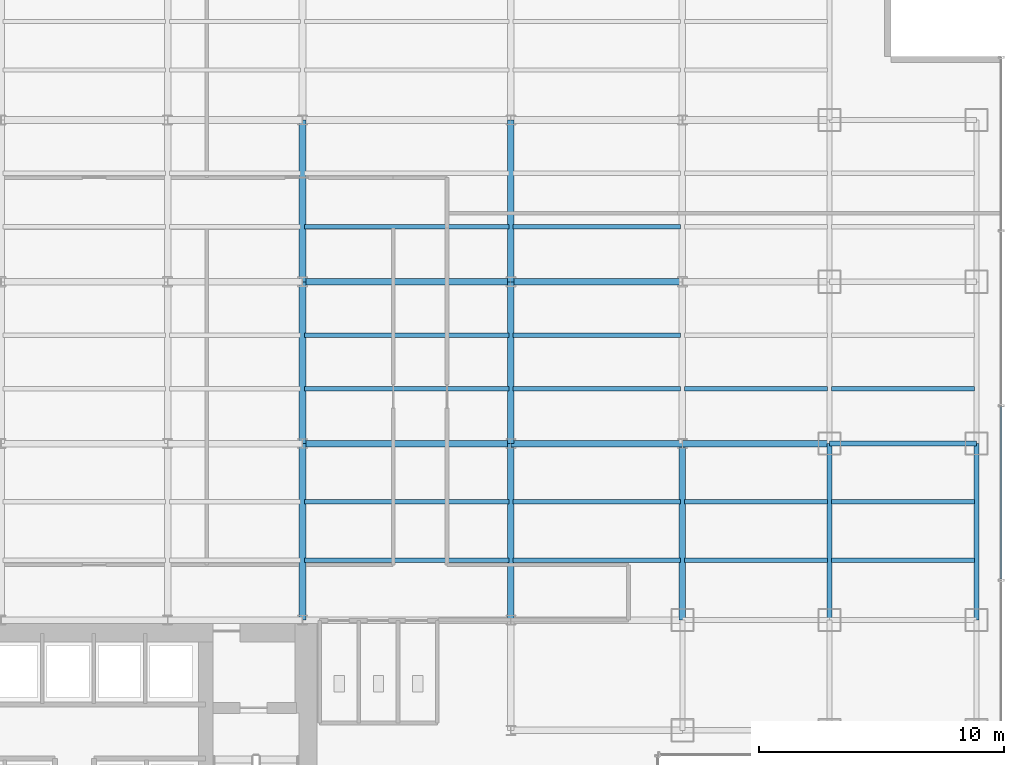
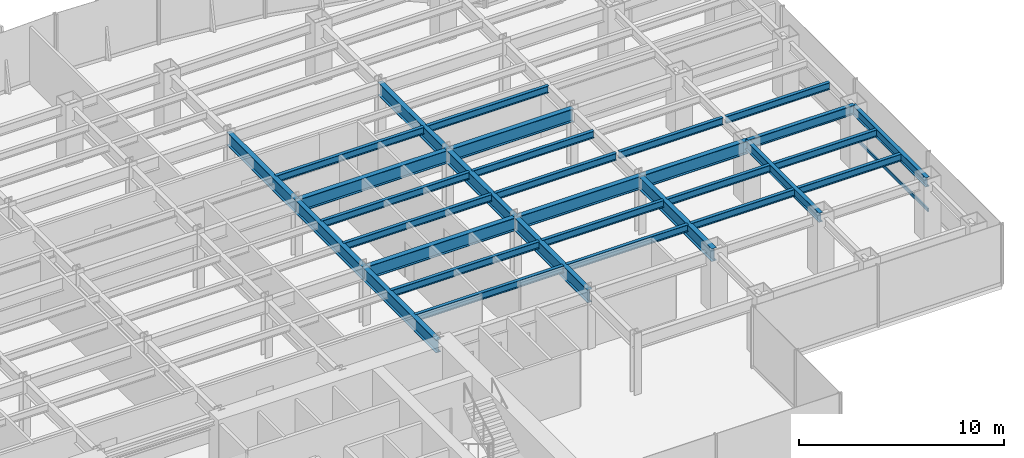
# One storey, part 8 of 22: 31 beams, 1 member, 1 element without a shape of its own.
"""IFC4 building model written with IfcOpenShell, lengths in metres."""

from ifc_helpers import new_model, si_unit, derived_unit, direction, frame, origin, origin_2d, place, context, subcontext, project, spatial, hollow_rectangle, i_section, extrude, source, transform, mapped, material, material_profile, profile_set, type_object, element, aggregate, save


model = new_model("IFC4")

# Units and contexts
model_context = context("Model", 3, precision=1e-05, world=origin(), true_north=direction((0.0, 1.0)))
body_context = subcontext(model_context, "Body", "Model", "MODEL_VIEW")
ifc_project = project(units=[si_unit("LENGTHUNIT", "METRE"), si_unit("AREAUNIT", "SQUARE_METRE"), si_unit("VOLUMEUNIT", "CUBIC_METRE"), si_unit("PLANEANGLEUNIT", "RADIAN"), si_unit("MASSUNIT", "GRAM", prefix="KILO"), derived_unit("THERMALTRANSMITTANCEUNIT", [(si_unit("POWERUNIT", "WATT"), 1), (si_unit("LENGTHUNIT", "METRE"), -2), (si_unit("THERMODYNAMICTEMPERATUREUNIT", "KELVIN"), -1)])], contexts=[model_context])

# Site, building, storey
site_placement = place(None, origin())
site = spatial("IfcSite", under=ifc_project, at=site_placement, CompositionType="ELEMENT")
building_placement = place(site_placement, origin())
building = spatial("IfcBuilding", under=site, at=building_placement, Name="Skarnbrae Concourse Arena and Tower", CompositionType="ELEMENT")
storey_placement = place(building_placement, frame((0.0, 0.0, 65.35009765625)))
storey = spatial("IfcBuildingStorey", under=building, at=storey_placement, Name="L15", CompositionType="ELEMENT", Elevation=65.35009765625)

# Beams
ifc_material_1 = material(Name="Steel CSA G40.21 350W", Category="steel")
ifc_material_profile_1 = material_profile(ifc_material_1, i_section(OverallWidth=0.26806640625, OverallDepth=0.77001953125, WebThickness=0.015625, FlangeThickness=0.025390625, at=origin_2d()), Name="W760X196")
ifc_profile_set_1 = profile_set([ifc_material_profile_1], Name="Steel CSA G40.21 350W")
beam_type_1 = type_object("IfcBeamType", Name="BM-GIRD-W760X196", PredefinedType="BEAM", material=ifc_profile_set_1)
shared_shape_1 = source(origin(), body_context, "Body", "SweptSolid", [
    extrude(i_section(OverallWidth=0.26806640625, OverallDepth=0.77001953125, WebThickness=0.015625, FlangeThickness=0.025390625, at=origin_2d()), origin(), (0.0, 0.0, 1.0), 7.0),
])
for number, where, z_axis, x_axis, name in (
    (1, (42.0, 21.199951171875, 3.014892578125), (1.0, 0.0, 0.0), (0.0, 1.0, 0.0), "L15 Primary E-W girder Y21.2-7"),
    (2, (42.0, 27.800048828125, 3.014892578125), (1.0, 0.0, 0.0), (0.0, 1.0, 0.0), "L15 Primary E-W girder Y27.8-7"),
):
    element("IfcBeam", number, at=place(storey_placement, frame(where, z_axis=z_axis, x_axis=x_axis)), inside=storey, type_object=beam_type_1, Name=name, PredefinedType="BEAM", context=body_context, shape_type="MappedRepresentation", body=[
        mapped(shared_shape_1, transform((0.0, 0.0, 0.0))),
    ])
ifc_material_profile_2 = material_profile(ifc_material_1, i_section(OverallWidth=0.214111328125, OverallDepth=0.549072265625, WebThickness=0.0146484375, FlangeThickness=0.023681640625, at=origin_2d()), Name="W530X138")
ifc_profile_set_2 = profile_set([ifc_material_profile_2], Name="Steel CSA G40.21 350W")
beam_type_2 = type_object("IfcBeamType", Name="BM-SPAN-W530X138", PredefinedType="SPANDREL", material=ifc_profile_set_2)
shared_shape_2 = source(origin(), body_context, "Body", "SweptSolid", [
    extrude(i_section(OverallWidth=0.214111328125, OverallDepth=0.549072265625, WebThickness=0.0146484375, FlangeThickness=0.023681640625, at=origin_2d()), origin(), (0.0, 0.0, 1.0), 6.0),
])
beam_1_placement = place(storey_placement, frame((55.0, 21.199951171875, 3.12548828125), z_axis=(1.0, 0.0, 0.0), x_axis=(0.0, 1.0, 0.0)))
element("IfcBeam", 3, at=beam_1_placement, inside=storey, type_object=beam_type_2, Name="L15 Perimeter spandrel Y21.2-9", PredefinedType="SPANDREL", context=body_context, shape_type="MappedRepresentation", body=[
    mapped(shared_shape_2, transform((0.0, 0.0, 0.0))),
])
shared_shape_3 = source(origin(), body_context, "Body", "SweptSolid", [
    extrude(i_section(OverallWidth=0.26806640625, OverallDepth=0.77001953125, WebThickness=0.015625, FlangeThickness=0.025390625, at=origin_2d()), origin(), (0.0, 0.0, 1.0), 6.60009765625),
])
for number, where, z_axis, x_axis, name in (
    (4, (33.5, 21.199951171875, 3.014892578125), (0.0, 1.0, 0.0), (-1.0, 0.0, 0.0), "L15 Primary N-S girder X33.5-2"),
    (5, (42.0, 21.199951171875, 3.014892578125), (0.0, 1.0, 0.0), (-1.0, 0.0, 0.0), "L15 Primary N-S girder X42.0-3"),
):
    element("IfcBeam", number, at=place(storey_placement, frame(where, z_axis=z_axis, x_axis=x_axis)), inside=storey, type_object=beam_type_1, Name=name, PredefinedType="BEAM", context=body_context, shape_type="MappedRepresentation", body=[
        mapped(shared_shape_3, transform((0.0, 0.0, 0.0))),
    ])
shared_shape_4 = source(origin(), body_context, "Body", "SweptSolid", [
    extrude(i_section(OverallWidth=0.26806640625, OverallDepth=0.77001953125, WebThickness=0.015625, FlangeThickness=0.025390625, at=origin_2d()), origin(), (0.0, 0.0, 1.0), 8.5),
])
for number, where, z_axis, x_axis, name in (
    (6, (33.5, 21.199951171875, 3.014892578125), (1.0, 0.0, 0.0), (0.0, 1.0, 0.0), "L15 Primary E-W girder Y21.2-6"),
    (7, (33.5, 27.800048828125, 3.014892578125), (1.0, 0.0, 0.0), (0.0, 1.0, 0.0), "L15 Primary E-W girder Y27.8-6"),
):
    element("IfcBeam", number, at=place(storey_placement, frame(where, z_axis=z_axis, x_axis=x_axis)), inside=storey, type_object=beam_type_1, Name=name, PredefinedType="BEAM", context=body_context, shape_type="MappedRepresentation", body=[
        mapped(shared_shape_4, transform((0.0, 0.0, 0.0))),
    ])
shared_shape_5 = source(origin(), body_context, "Body", "SweptSolid", [
    extrude(i_section(OverallWidth=0.26806640625, OverallDepth=0.77001953125, WebThickness=0.015625, FlangeThickness=0.025390625, at=origin_2d()), origin(), (0.0, 0.0, 1.0), 6.0),
])
beam_2_placement = place(storey_placement, frame((49.0, 21.199951171875, 3.014892578125), z_axis=(1.0, 0.0, 0.0), x_axis=(0.0, 1.0, 0.0)))
element("IfcBeam", 8, at=beam_2_placement, inside=storey, type_object=beam_type_1, Name="L15 Primary E-W girder Y21.2-8", PredefinedType="BEAM", context=body_context, shape_type="MappedRepresentation", body=[
    mapped(shared_shape_5, transform((0.0, 0.0, 0.0))),
])
shared_shape_6 = source(origin(), body_context, "Body", "SweptSolid", [
    extrude(i_section(OverallWidth=0.214111328125, OverallDepth=0.549072265625, WebThickness=0.0146484375, FlangeThickness=0.023681640625, at=origin_2d()), origin(), (0.0, 0.0, 1.0), 7.199951171875),
])
for number, where, z_axis, x_axis, name in (
    (9, (55.0, 14.0, 3.12548828125), (0.0, 1.0, 0.0), (-1.0, 0.0, 0.0), "L15 Perimeter spandrel X55.0-2"),
    (10, (61.0, 14.0, 3.12548828125), (0.0, 1.0, 0.0), (-1.0, 0.0, 0.0), "L15 Perimeter spandrel X61.0-2"),
):
    element("IfcBeam", number, at=place(storey_placement, frame(where, z_axis=z_axis, x_axis=x_axis)), inside=storey, type_object=beam_type_2, Name=name, PredefinedType="SPANDREL", context=body_context, shape_type="MappedRepresentation", body=[
        mapped(shared_shape_6, transform((0.0, 0.0, 0.0))),
    ])
shared_shape_7 = source(origin(), body_context, "Body", "SweptSolid", [
    extrude(i_section(OverallWidth=0.26806640625, OverallDepth=0.77001953125, WebThickness=0.015625, FlangeThickness=0.025390625, at=origin_2d()), origin(), (0.0, 0.0, 1.0), 7.199951171875),
])
for number, where, z_axis, x_axis, name in (
    (11, (33.5, 14.0, 3.014892578125), (0.0, 1.0, 0.0), (-1.0, 0.0, 0.0), "L15 Primary N-S girder X33.5-1"),
    (12, (42.0, 14.0, 3.014892578125), (0.0, 1.0, 0.0), (-1.0, 0.0, 0.0), "L15 Primary N-S girder X42.0-2"),
    (13, (49.0, 14.0, 3.014892578125), (0.0, 1.0, 0.0), (-1.0, 0.0, 0.0), "L15 Primary N-S girder X49.0-2"),
):
    element("IfcBeam", number, at=place(storey_placement, frame(where, z_axis=z_axis, x_axis=x_axis)), inside=storey, type_object=beam_type_1, Name=name, PredefinedType="BEAM", context=body_context, shape_type="MappedRepresentation", body=[
        mapped(shared_shape_7, transform((0.0, 0.0, 0.0))),
    ])
shared_shape_8 = source(origin(), body_context, "Body", "SweptSolid", [
    extrude(i_section(OverallWidth=0.26806640625, OverallDepth=0.77001953125, WebThickness=0.015625, FlangeThickness=0.025390625, at=origin_2d()), origin(), (0.0, 0.0, 1.0), 6.599853515625),
])
for number, where, z_axis, x_axis, name in (
    (14, (33.5, 27.800048828125, 3.014892578125), (0.0, 1.0, 0.0), (-1.0, 0.0, 0.0), "L15 Primary N-S girder X33.5-3"),
    (15, (42.0, 27.800048828125, 3.014892578125), (0.0, 1.0, 0.0), (-1.0, 0.0, 0.0), "L15 Primary N-S girder X42.0-4"),
):
    element("IfcBeam", number, at=place(storey_placement, frame(where, z_axis=z_axis, x_axis=x_axis)), inside=storey, type_object=beam_type_1, Name=name, PredefinedType="BEAM", context=body_context, shape_type="MappedRepresentation", body=[
        mapped(shared_shape_8, transform((0.0, 0.0, 0.0))),
    ])
ifc_material_profile_3 = material_profile(ifc_material_1, i_section(OverallWidth=0.180908203125, OverallDepth=0.4169921875, WebThickness=0.010986328125, FlangeThickness=0.018310546875, at=origin_2d()), Name="W410X85")
ifc_profile_set_3 = profile_set([ifc_material_profile_3], Name="Steel CSA G40.21 350W")
beam_type_3 = type_object("IfcBeamType", Name="BM-JOIST-W410X85", PredefinedType="JOIST", material=ifc_profile_set_3)
shared_shape_9 = source(origin(), body_context, "Body", "SweptSolid", [
    extrude(i_section(OverallWidth=0.180908203125, OverallDepth=0.4169921875, WebThickness=0.010986328125, FlangeThickness=0.018310546875, at=origin_2d()), origin(), (0.0, 0.0, 1.0), 8.33984375),
])
for number, where, z_axis, x_axis, name in (
    (16, (33.580078125, 16.447998046875, 3.19140625), (1.0, 0.0, 0.0), (0.0, 1.0, 0.0), "L15 Secondary floor joist 1.1.6"),
    (17, (33.580078125, 18.823974609375, 3.19140625), (1.0, 0.0, 0.0), (0.0, 1.0, 0.0), "L15 Secondary floor joist 1.2.6"),
    (18, (33.580078125, 23.444091796875, 3.19140625), (1.0, 0.0, 0.0), (0.0, 1.0, 0.0), "L15 Secondary floor joist 2.1.6"),
    (19, (33.580078125, 25.6220703125, 3.19140625), (1.0, 0.0, 0.0), (0.0, 1.0, 0.0), "L15 Secondary floor joist 2.2.6"),
    (20, (33.580078125, 30.0439453125, 3.19140625), (1.0, 0.0, 0.0), (0.0, 1.0, 0.0), "L15 Secondary floor joist 3.1.6"),
):
    element("IfcBeam", number, at=place(storey_placement, frame(where, z_axis=z_axis, x_axis=x_axis)), inside=storey, type_object=beam_type_3, Name=name, PredefinedType="JOIST", context=body_context, shape_type="MappedRepresentation", body=[
        mapped(shared_shape_9, transform((0.0, 0.0, 0.0))),
    ])
shared_shape_10 = source(origin(), body_context, "Body", "SweptSolid", [
    extrude(i_section(OverallWidth=0.180908203125, OverallDepth=0.4169921875, WebThickness=0.010986328125, FlangeThickness=0.018310546875, at=origin_2d()), origin(), (0.0, 0.0, 1.0), 6.83984375),
])
for number, where, z_axis, x_axis, name in (
    (21, (42.080078125, 16.447998046875, 3.19140625), (1.0, 0.0, 0.0), (0.0, 1.0, 0.0), "L15 Secondary floor joist 1.1.7"),
    (22, (42.080078125, 18.823974609375, 3.19140625), (1.0, 0.0, 0.0), (0.0, 1.0, 0.0), "L15 Secondary floor joist 1.2.7"),
    (23, (42.080078125, 23.444091796875, 3.19140625), (1.0, 0.0, 0.0), (0.0, 1.0, 0.0), "L15 Secondary floor joist 2.1.7"),
    (24, (42.080078125, 25.6220703125, 3.19140625), (1.0, 0.0, 0.0), (0.0, 1.0, 0.0), "L15 Secondary floor joist 2.2.7"),
    (25, (42.080078125, 30.0439453125, 3.19140625), (1.0, 0.0, 0.0), (0.0, 1.0, 0.0), "L15 Secondary floor joist 3.1.7"),
):
    element("IfcBeam", number, at=place(storey_placement, frame(where, z_axis=z_axis, x_axis=x_axis)), inside=storey, type_object=beam_type_3, Name=name, PredefinedType="JOIST", context=body_context, shape_type="MappedRepresentation", body=[
        mapped(shared_shape_10, transform((0.0, 0.0, 0.0))),
    ])
shared_shape_11 = source(origin(), body_context, "Body", "SweptSolid", [
    extrude(i_section(OverallWidth=0.180908203125, OverallDepth=0.4169921875, WebThickness=0.010986328125, FlangeThickness=0.018310546875, at=origin_2d()), origin(), (0.0, 0.0, 1.0), 5.83984375),
])
for number, where, z_axis, x_axis, name in (
    (26, (49.080078125, 16.447998046875, 3.19140625), (1.0, 0.0, 0.0), (0.0, 1.0, 0.0), "L15 Secondary floor joist 1.1.8"),
    (27, (55.080078125, 16.447998046875, 3.19140625), (1.0, 0.0, 0.0), (0.0, 1.0, 0.0), "L15 Secondary floor joist 1.1.9"),
    (28, (49.080078125, 18.823974609375, 3.19140625), (1.0, 0.0, 0.0), (0.0, 1.0, 0.0), "L15 Secondary floor joist 1.2.8"),
    (29, (55.080078125, 18.823974609375, 3.19140625), (1.0, 0.0, 0.0), (0.0, 1.0, 0.0), "L15 Secondary floor joist 1.2.9"),
    (30, (49.080078125, 23.444091796875, 3.19140625), (1.0, 0.0, 0.0), (0.0, 1.0, 0.0), "L15 Secondary floor joist 2.1.8"),
    (31, (55.080078125, 23.444091796875, 3.19140625), (1.0, 0.0, 0.0), (0.0, 1.0, 0.0), "L15 Secondary floor joist 2.1.9"),
):
    element("IfcBeam", number, at=place(storey_placement, frame(where, z_axis=z_axis, x_axis=x_axis)), inside=storey, type_object=beam_type_3, Name=name, PredefinedType="JOIST", context=body_context, shape_type="MappedRepresentation", body=[
        mapped(shared_shape_11, transform((0.0, 0.0, 0.0))),
    ])

# Curtain wall, member
ifc_material_2 = material(Name="Bronze anodised aluminium 6063-T6", Category="aluminium")
curtain_wall_type = type_object("IfcCurtainWallType", Name="CW-SYS-02-LOWZONE", PredefinedType="USERDEFINED", material=ifc_material_2)
curtain_wall_placement = place(storey_placement, origin())
curtain_wall = element("IfcCurtainWall", 32, at=curtain_wall_placement, inside=storey, type_object=curtain_wall_type, Name="L15 Unitised curtain wall CW-L15-E04", ObjectType="UNITISED CURTAIN WALL", PredefinedType="USERDEFINED")
ifc_material_profile_4 = material_profile(ifc_material_2, hollow_rectangle(XDim=0.080078125, YDim=0.18994140625, WallThickness=0.0048828125, at=origin_2d()), Name="ALU-TRAN-80X190")
ifc_profile_set_4 = profile_set([ifc_material_profile_4], Name="Bronze anodised aluminium 6063-T6")
member_type = type_object("IfcMemberType", Name="CWT-CW-02", PredefinedType="USERDEFINED", material=ifc_profile_set_4)
shared_shape_12 = source(origin(), body_context, "Body", "SweptSolid", [
    extrude(hollow_rectangle(XDim=0.080078125, YDim=0.18994140625, WallThickness=0.0048828125, at=origin_2d()), origin(), (0.0, 0.0, 1.0), 7.044921875),
])
member_placement = place(storey_placement, frame((62.0, 15.6650390625, 0.094970703125), z_axis=(0.0, 1.0, 0.0), x_axis=(-1.0, 0.0, 0.0)))
member = element("IfcMember", 33, at=member_placement, type_object=member_type, Name="CW-L15-E04 Transom 2", ObjectType="TRANSOM", PredefinedType="USERDEFINED", context=body_context, shape_type="MappedRepresentation", body=[
    mapped(shared_shape_12, transform((0.0, 0.0, 0.0))),
])
aggregate(curtain_wall, [member])

save(model, "model.ifc")
